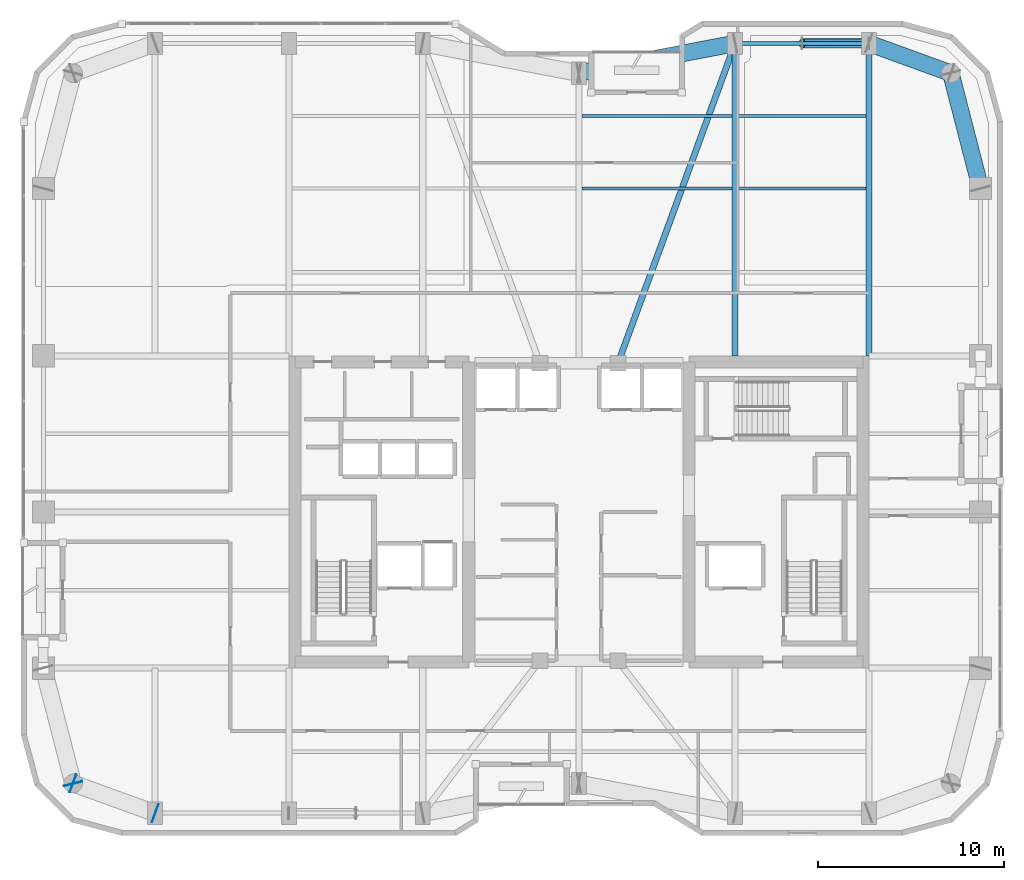
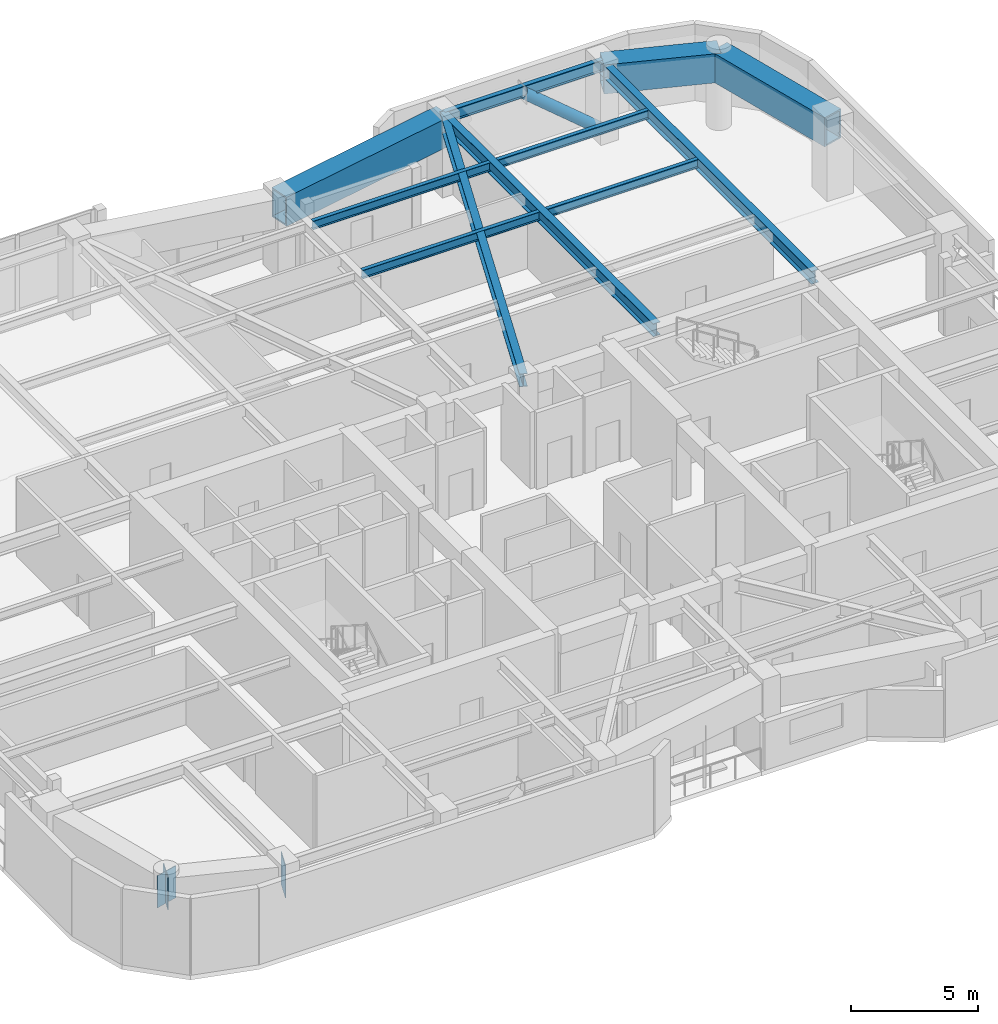
# One storey, part 20 of 30: 11 beams, 3 plates, 1 member.
"""IFC4 building model written with IfcOpenShell, lengths in metres."""

from ifc_helpers import new_model, si_unit, direction, frame, origin, origin_2d, place, context, subcontext, project, spatial, rectangle, hollow_rectangle, hollow_circle, i_section, extrude, material, layer, layer_set, material_profile, profile_set, type_object, element, save


model = new_model("IFC4")

# Units and contexts
model_context = context("Model", 3, precision=1e-05, world=origin(), true_north=direction((0.0, 1.0)))
body_context = subcontext(model_context, "Body", "Model", "MODEL_VIEW")
ifc_project = project(units=[si_unit("LENGTHUNIT", "METRE"), si_unit("AREAUNIT", "SQUARE_METRE"), si_unit("VOLUMEUNIT", "CUBIC_METRE"), si_unit("PLANEANGLEUNIT", "RADIAN"), si_unit("MASSUNIT", "GRAM", prefix="KILO")], contexts=[model_context])

# Site, building, storey
site_placement = place(None, origin())
site = spatial("IfcSite", under=ifc_project, at=site_placement, CompositionType="ELEMENT")
building_placement = place(site_placement, origin())
building = spatial("IfcBuilding", under=site, at=building_placement, Name="Kiyonajd Concourse Tower", CompositionType="ELEMENT")
storey_placement = place(building_placement, frame((0.0, 0.0, 194.10009765625)))
storey = spatial("IfcBuildingStorey", under=building, at=storey_placement, Name="L49", CompositionType="ELEMENT", Elevation=194.10009765625)

# Beams
ifc_material_1 = material(Name="Steel ASTM A992 Grade 50", Category="steel")
ifc_material_profile_1 = material_profile(ifc_material_1, i_section(OverallWidth=0.180908203125, OverallDepth=0.4169921875, WebThickness=0.010986328125, FlangeThickness=0.018310546875, at=origin_2d()), Name="W410X85")
ifc_profile_set_1 = profile_set([ifc_material_profile_1], Name="Steel ASTM A992 Grade 50")
beam_type_1 = type_object("IfcBeamType", Name="BM-JST-410", PredefinedType="JOIST", material=ifc_profile_set_1)
beam_1_placement = place(storey_placement, frame((48.16357421875, 53.39990234375, 3.471435546875), z_axis=(1.0, 0.0, 0.0), x_axis=(0.0, 1.0, 0.0)))
element("IfcBeam", 1, at=beam_1_placement, inside=storey, type_object=beam_type_1, Name="L49 Secondary Floor Joist", PredefinedType="JOIST", context=body_context, shape_type="SweptSolid", body=[
    extrude(i_section(OverallWidth=0.180908203125, OverallDepth=0.4169921875, WebThickness=0.010986328125, FlangeThickness=0.018310546875, at=origin_2d()), origin(), (0.0, 0.0, 1.0), 8.072998046875),
])
beam_2_placement = place(storey_placement, frame((56.5634765625, 53.39990234375, 3.471435546875), z_axis=(1.0, 0.0, 0.0), x_axis=(0.0, 1.0, 0.0)))
element("IfcBeam", 2, at=beam_2_placement, inside=storey, type_object=beam_type_1, Name="L49 Secondary Floor Joist", PredefinedType="JOIST", context=body_context, shape_type="SweptSolid", body=[
    extrude(i_section(OverallWidth=0.180908203125, OverallDepth=0.4169921875, WebThickness=0.010986328125, FlangeThickness=0.018310546875, at=origin_2d()), origin(), (0.0, 0.0, 1.0), 6.873046875),
])
beam_3_placement = place(storey_placement, frame((48.16357421875, 57.300048828125, 3.471435546875), z_axis=(1.0, 0.0, 0.0), x_axis=(0.0, 1.0, 0.0)))
element("IfcBeam", 3, at=beam_3_placement, inside=storey, type_object=beam_type_1, Name="L49 Secondary Floor Joist", PredefinedType="JOIST", context=body_context, shape_type="SweptSolid", body=[
    extrude(i_section(OverallWidth=0.180908203125, OverallDepth=0.4169921875, WebThickness=0.010986328125, FlangeThickness=0.018310546875, at=origin_2d()), origin(), (0.0, 0.0, 1.0), 8.072998046875),
])
beam_4_placement = place(storey_placement, frame((56.5634765625, 57.300048828125, 3.471435546875), z_axis=(1.0, 0.0, 0.0), x_axis=(0.0, 1.0, 0.0)))
element("IfcBeam", 4, at=beam_4_placement, inside=storey, type_object=beam_type_1, Name="L49 Secondary Floor Joist", PredefinedType="JOIST", context=body_context, shape_type="SweptSolid", body=[
    extrude(i_section(OverallWidth=0.180908203125, OverallDepth=0.4169921875, WebThickness=0.010986328125, FlangeThickness=0.018310546875, at=origin_2d()), origin(), (0.0, 0.0, 1.0), 6.873046875),
])
ifc_material_profile_2 = material_profile(ifc_material_1, i_section(OverallWidth=0.214111328125, OverallDepth=0.549072265625, WebThickness=0.0146484375, FlangeThickness=0.023681640625, at=origin_2d()), Name="W530X138")
ifc_profile_set_2 = profile_set([ifc_material_profile_2], Name="Steel ASTM A992 Grade 50")
beam_type_2 = type_object("IfcBeamType", Name="BM-SPAN-530A", PredefinedType="SPANDREL", material=ifc_profile_set_2)
beam_5_placement = place(storey_placement, frame((63.60009765625, 61.199951171875, 3.405517578125), z_axis=(-1.0, 0.0, 0.0), x_axis=(0.0, -1.0, 0.0)))
element("IfcBeam", 5, at=beam_5_placement, inside=storey, type_object=beam_type_2, Name="L49 Perimeter Bundled Tube Spandrel", PredefinedType="SPANDREL", context=body_context, shape_type="SweptSolid", body=[
    extrude(i_section(OverallWidth=0.214111328125, OverallDepth=0.549072265625, WebThickness=0.0146484375, FlangeThickness=0.023681640625, at=origin_2d()), origin(), (0.0, 0.0, 1.0), 7.2001953125),
])
ifc_material_profile_3 = material_profile(ifc_material_1, i_section(OverallWidth=0.326904296875, OverallDepth=0.6220703125, WebThickness=0.015380859375, FlangeThickness=0.0244140625, at=origin_2d()), Name="W610X195")
ifc_profile_set_3 = profile_set([ifc_material_profile_3], Name="Steel ASTM A992 Grade 50")
beam_type_3 = type_object("IfcBeamType", Name="BM-TWR-610A", PredefinedType="BEAM", material=ifc_profile_set_3)
beam_6_placement = place(storey_placement, frame((50.10009765625, 44.0, 3.368896484375), z_axis=(0.343925269715, 0.938997022813, 0.0), x_axis=(-0.938997022813, 0.343925269715, 0.0)))
element("IfcBeam", 6, at=beam_6_placement, inside=storey, type_object=beam_type_3, Name="L49 Core Tie Girder", PredefinedType="BEAM", context=body_context, shape_type="SweptSolid", body=[
    extrude(i_section(OverallWidth=0.326904296875, OverallDepth=0.6220703125, WebThickness=0.015380859375, FlangeThickness=0.0244140625, at=origin_2d()), origin(), (0.0, 0.0, 1.0), 18.3173828125),
])
for number, where, z_axis, x_axis, name in (
    (7, (56.39990234375, 44.39990234375, 3.368896484375), (0.0, 1.0, 0.0), (-1.0, 0.0, 0.0), "L49 North Lease Girder"),
    (8, (63.60009765625, 44.39990234375, 3.368896484375), (0.0, 1.0, 0.0), (-1.0, 0.0, 0.0), "L49 North Lease Girder"),
):
    element("IfcBeam", number, at=place(storey_placement, frame(where, z_axis=z_axis, x_axis=x_axis)), inside=storey, type_object=beam_type_3, Name=name, PredefinedType="BEAM", context=body_context, shape_type="SweptSolid", body=[
        extrude(i_section(OverallWidth=0.326904296875, OverallDepth=0.6220703125, WebThickness=0.015380859375, FlangeThickness=0.0244140625, at=origin_2d()), origin(), (0.0, 0.0, 1.0), 16.800048828125),
    ])
ifc_material_2 = material(Name="Steel ASTM A572 Grade 50", Category="steel")
ifc_material_profile_4 = material_profile(ifc_material_2, hollow_rectangle(XDim=0.89990234375, YDim=1.39990234375, WallThickness=0.070068359375, at=origin_2d()), Name="BOX-1400x900x70")
ifc_profile_set_4 = profile_set([ifc_material_profile_4], Name="Steel ASTM A572 Grade 50")
beam_type_4 = type_object("IfcBeamType", Name="BM-XFER-1400", PredefinedType="BEAM", material=ifc_profile_set_4)
beam_7_placement = place(storey_placement, frame((69.60009765625, 53.39990234375, 2.97998046875), z_axis=(-0.249884937687, 0.968275538221, 0.0), x_axis=(-0.968275538221, -0.249884937687, 0.0)))
element("IfcBeam", 9, at=beam_7_placement, inside=storey, type_object=beam_type_4, Name="L49 Perimeter Bundled Tube Spandrel", PredefinedType="BEAM", context=body_context, shape_type="SweptSolid", body=[
    extrude(hollow_rectangle(XDim=0.89990234375, YDim=1.39990234375, WallThickness=0.070068359375, at=origin_2d()), origin(), (0.0, 0.0, 1.0), 6.4033203125),
])
beam_8_placement = place(storey_placement, frame((68.0, 59.60009765625, 2.97998046875), z_axis=(-0.939801036019, 0.341722127901, 0.0), x_axis=(-0.341722127901, -0.939801036019, 0.0)))
element("IfcBeam", 10, at=beam_8_placement, inside=storey, type_object=beam_type_4, Name="L49 Perimeter Bundled Tube Spandrel", PredefinedType="BEAM", context=body_context, shape_type="SweptSolid", body=[
    extrude(hollow_rectangle(XDim=0.89990234375, YDim=1.39990234375, WallThickness=0.070068359375, at=origin_2d()), origin(), (0.0, 0.0, 1.0), 4.681640625),
])
beam_9_placement = place(storey_placement, frame((56.39990234375, 61.199951171875, 2.97998046875), z_axis=(-0.982341315253, -0.187097675953, 0.0), x_axis=(0.187097675953, -0.982341315253, 0.0)))
element("IfcBeam", 11, at=beam_9_placement, inside=storey, type_object=beam_type_4, Name="L49 Perimeter Bundled Tube Spandrel", PredefinedType="BEAM", context=body_context, shape_type="SweptSolid", body=[
    extrude(hollow_rectangle(XDim=0.89990234375, YDim=1.39990234375, WallThickness=0.070068359375, at=origin_2d()), origin(), (0.0, 0.0, 1.0), 8.55078125),
])

# Member
ifc_material_3 = material(Name="Steel ASTM A500 Grade C", Category="steel")
ifc_material_profile_5 = material_profile(ifc_material_3, hollow_circle(Radius=0.25390625, WallThickness=0.02197265625, at=origin_2d()), Name="CHS-508x22")
ifc_profile_set_5 = profile_set([ifc_material_profile_5], Name="Steel ASTM A500 Grade C")
member_type = type_object("IfcMemberType", Name="MB-PB-MID", PredefinedType="BRACE", material=ifc_profile_set_5)
member_placement = place(storey_placement, frame((63.60009765625, 61.199951171875, 0.2998046875), z_axis=(-0.765082043761, 0.0, 0.643932811957), x_axis=(0.0, -1.0, 0.0)))
element("IfcMember", 12, at=member_placement, inside=storey, type_object=member_type, Name="L49 Upper Zone Hollow Tube Brace PBN", PredefinedType="BRACE", context=body_context, shape_type="SweptSolid", body=[
    extrude(hollow_circle(Radius=0.25390625, WallThickness=0.02197265625, at=origin_2d()), origin(), (0.0, 0.0, 1.0), 4.70556640625),
])

# Plates
ifc_layer = layer(ifc_material_2, 0.031982421875)
ifc_layer_set = layer_set([ifc_layer], Name="Steel ASTM A572 Grade 50")
plate_type = type_object("IfcPlateType", Name="PL-CAP-540", PredefinedType="USERDEFINED", material=ifc_layer_set)
for number, where, z_axis, x_axis, name in (
    (13, (20.802734375, 21.389404296875, 2.2099609375), (0.0, 0.0, 1.0), (0.249873048837, -0.968278606324, 0.0), "L49 Welded Box Girder End Cap"),
    (14, (20.789794921875, 21.40380859375, 2.2099609375), (0.0, 0.0, 1.0), (-0.939811951086, 0.341692107891, 0.0), "L49 Welded Box Girder End Cap"),
    (15, (25.210205078125, 19.796142578125, 2.2099609375), (0.0, 0.0, 1.0), (0.939811951086, -0.341692107891, 0.0), "L49 Welded Box Girder End Cap"),
):
    element("IfcPlate", number, at=place(storey_placement, frame(where, z_axis=z_axis, x_axis=x_axis)), inside=storey, type_object=plate_type, Name=name, ObjectType="CAP PLATE", PredefinedType="USERDEFINED", context=body_context, shape_type="SweptSolid", body=[
        extrude(rectangle(XDim=0.035888671875, YDim=1.02001953125, at=origin_2d()), origin(), (0.0, 0.0, 1.0), 1.5400390625),
    ])

save(model, "model.ifc")
